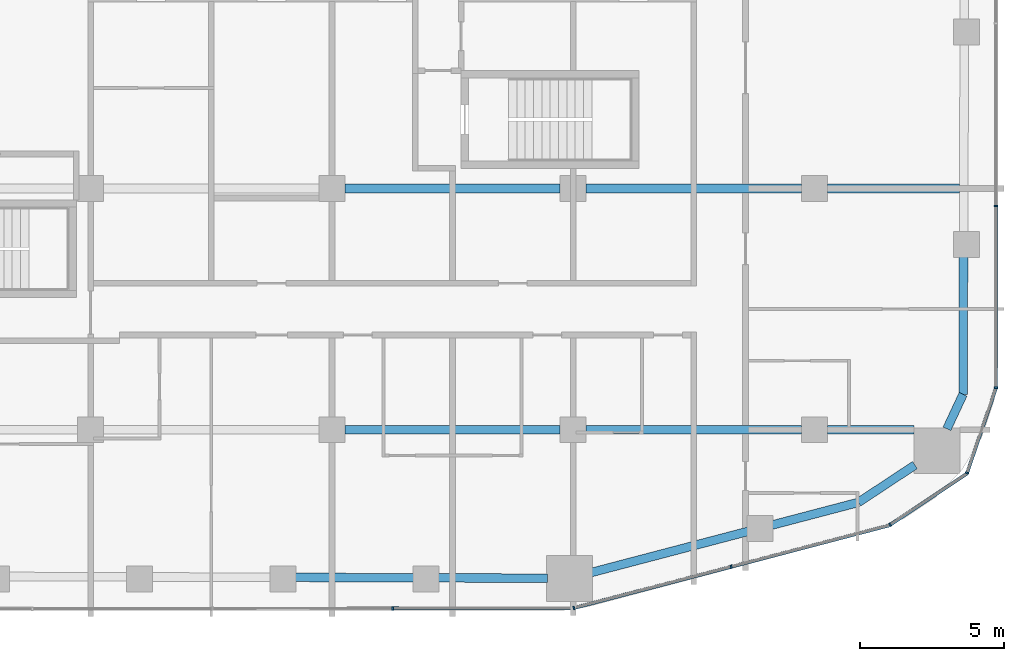
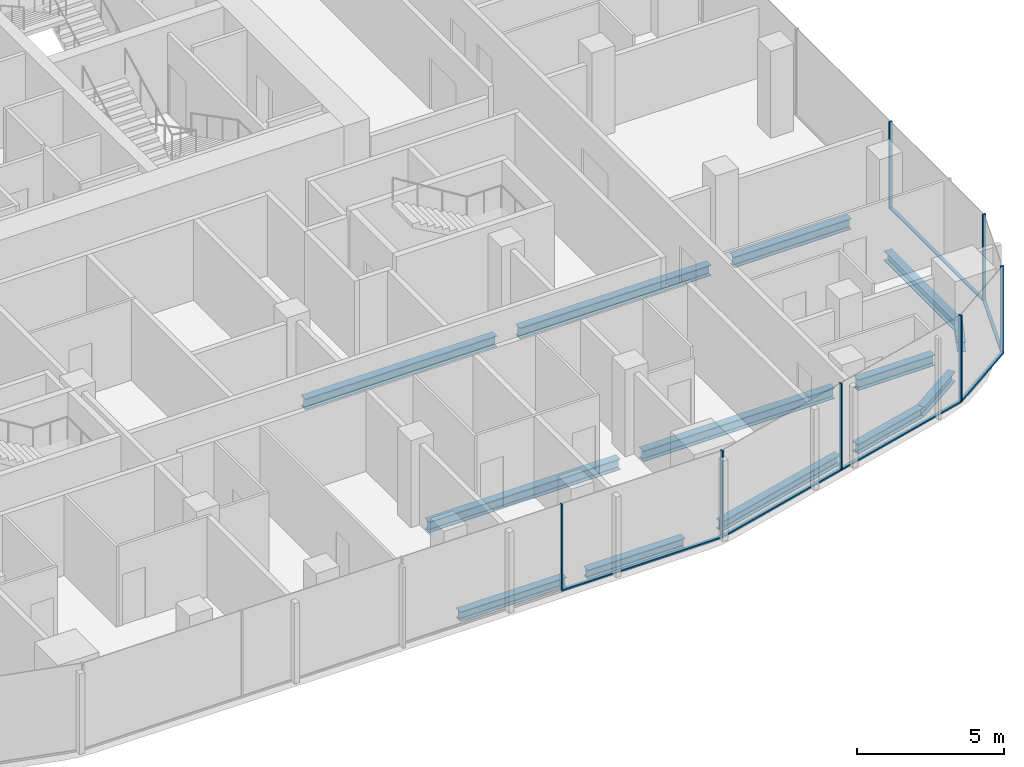
# One storey, part 6 of 23: 13 beams, 13 members, 5 elements without a shape of their own.
"""IFC4 building model written with IfcOpenShell, lengths in metres."""

from ifc_helpers import new_model, si_unit, direction, frame, origin, origin_2d, place, context, subcontext, project, spatial, rectangle, i_section, extrude, material, layer, layer_set, material_profile, profile_set, type_object, element, aggregate, save


model = new_model("IFC4")

# Units and contexts
model_context = context("Model", 3, precision=1e-05, world=origin(), true_north=direction((0.0, 1.0)))
body_context = subcontext(model_context, "Body", "Model", "MODEL_VIEW")
ifc_project = project(units=[si_unit("LENGTHUNIT", "METRE"), si_unit("AREAUNIT", "SQUARE_METRE"), si_unit("VOLUMEUNIT", "CUBIC_METRE"), si_unit("PLANEANGLEUNIT", "RADIAN"), si_unit("MASSUNIT", "GRAM", prefix="KILO")], contexts=[model_context])

# Site, building, storey
site_placement = place(None, origin())
site = spatial("IfcSite", under=ifc_project, at=site_placement, CompositionType="ELEMENT")
building_placement = place(site_placement, origin())
building = spatial("IfcBuilding", under=site, at=building_placement, Name="Marenta Gate Hotel Tower", CompositionType="ELEMENT")
storey_placement = place(building_placement, frame((0.0, 0.0, 155.300048828125)))
storey = spatial("IfcBuildingStorey", under=building, at=storey_placement, Name="L36", CompositionType="ELEMENT", Elevation=155.300048828125)

# Beams
ifc_material_1 = material(Name="Steel S355", Category="steel")
ifc_material_profile_1 = material_profile(ifc_material_1, i_section(OverallWidth=0.300048828125, OverallDepth=0.39990234375, WebThickness=0.013427734375, FlangeThickness=0.02392578125, FilletRadius=0.027099609375, at=origin_2d()), Name="HEB 400")
ifc_profile_set_1 = profile_set([ifc_material_profile_1], Name="Steel S355")
beam_type_1 = type_object("IfcBeamType", Name="Edge beam HEB 400", PredefinedType="SPANDREL", material=ifc_profile_set_1)
beam_1_placement = place(storey_placement, frame((26.191162109375, -10.761962890625, -0.4599609375), z_axis=(-0.003353298899, -0.999994377677, 0.0), x_axis=(0.999994377677, -0.003353298899, 0.0)))
element("IfcBeam", 1, at=beam_1_placement, inside=storey, type_object=beam_type_1, Name="L36-EB-27", PredefinedType="SPANDREL", context=body_context, shape_type="SweptSolid", body=[
    extrude(i_section(OverallWidth=0.300048828125, OverallDepth=0.39990234375, WebThickness=0.013427734375, FlangeThickness=0.02392578125, FilletRadius=0.027099609375, at=origin_2d()), origin(), (0.0, 0.0, 1.0), 4.80517578125),
])
beam_2_placement = place(storey_placement, frame((26.175048828125, -15.567138671875, -0.4599609375), z_axis=(-0.423207780269, -0.906032656541, 0.0), x_axis=(0.906032656541, -0.423207780269, 0.0)))
element("IfcBeam", 2, at=beam_2_placement, inside=storey, type_object=beam_type_1, Name="L36-EB-28", PredefinedType="SPANDREL", context=body_context, shape_type="SweptSolid", body=[
    extrude(i_section(OverallWidth=0.300048828125, OverallDepth=0.39990234375, WebThickness=0.013427734375, FlangeThickness=0.02392578125, FilletRadius=0.027099609375, at=origin_2d()), origin(), (0.0, 0.0, 1.0), 1.326904296875),
])
beam_3_placement = place(storey_placement, frame((24.496337890625, -18.0322265625, -0.4599609375), z_axis=(-0.834496060599, -0.551013906217, 0.0), x_axis=(0.551013906217, -0.834496060599, 0.0)))
element("IfcBeam", 3, at=beam_3_placement, inside=storey, type_object=beam_type_1, Name="L36-EB-29", PredefinedType="SPANDREL", context=body_context, shape_type="SweptSolid", body=[
    extrude(i_section(OverallWidth=0.300048828125, OverallDepth=0.39990234375, WebThickness=0.013427734375, FlangeThickness=0.02392578125, FilletRadius=0.027099609375, at=origin_2d()), origin(), (0.0, 0.0, 1.0), 2.357177734375),
])
beam_4_placement = place(storey_placement, frame((22.529296875, -19.3310546875, -0.4599609375), z_axis=(-0.967224706208, -0.25392197168, 0.0), x_axis=(0.25392197168, -0.967224706208, 0.0)))
element("IfcBeam", 4, at=beam_4_placement, inside=storey, type_object=beam_type_1, Name="L36-EB-30", PredefinedType="SPANDREL", context=body_context, shape_type="SweptSolid", body=[
    extrude(i_section(OverallWidth=0.300048828125, OverallDepth=0.39990234375, WebThickness=0.013427734375, FlangeThickness=0.02392578125, FilletRadius=0.027099609375, at=origin_2d()), origin(), (0.0, 0.0, 1.0), 3.11328125),
])
beam_5_placement = place(storey_placement, frame((18.695556640625, -20.33740234375, -0.4599609375), z_axis=(-0.96723321901, -0.253889542999, 0.0), x_axis=(0.253889542999, -0.96723321901, 0.0)))
element("IfcBeam", 5, at=beam_5_placement, inside=storey, type_object=beam_type_1, Name="L36-EB-31", PredefinedType="SPANDREL", context=body_context, shape_type="SweptSolid", body=[
    extrude(i_section(OverallWidth=0.300048828125, OverallDepth=0.39990234375, WebThickness=0.013427734375, FlangeThickness=0.02392578125, FilletRadius=0.027099609375, at=origin_2d()), origin(), (0.0, 0.0, 1.0), 5.6533203125),
])
beam_6_placement = place(storey_placement, frame((11.706298828125, -21.97021484375, -0.4599609375), z_axis=(-0.999994883969, 0.003198755307, 0.0), x_axis=(-0.003198755307, -0.999994883969, 0.0)))
element("IfcBeam", 6, at=beam_6_placement, inside=storey, type_object=beam_type_1, Name="L36-EB-32", PredefinedType="SPANDREL", context=body_context, shape_type="SweptSolid", body=[
    extrude(i_section(OverallWidth=0.300048828125, OverallDepth=0.39990234375, WebThickness=0.013427734375, FlangeThickness=0.02392578125, FilletRadius=0.027099609375, at=origin_2d()), origin(), (0.0, 0.0, 1.0), 3.816162109375),
])
beam_7_placement = place(storey_placement, frame((7.070068359375, -21.955322265625, -0.4599609375), z_axis=(-0.999994807487, 0.003222576575, 0.0), x_axis=(-0.003222576575, -0.999994807487, 0.0)))
element("IfcBeam", 7, at=beam_7_placement, inside=storey, type_object=beam_type_1, Name="L36-EB-33", PredefinedType="SPANDREL", context=body_context, shape_type="SweptSolid", body=[
    extrude(i_section(OverallWidth=0.300048828125, OverallDepth=0.39990234375, WebThickness=0.013427734375, FlangeThickness=0.02392578125, FilletRadius=0.027099609375, at=origin_2d()), origin(), (0.0, 0.0, 1.0), 4.166748046875),
])
ifc_material_2 = material(Name="Steel S355", Category="steel")
ifc_material_profile_2 = material_profile(ifc_material_2, i_section(OverallWidth=0.300048828125, OverallDepth=0.449951171875, WebThickness=0.013916015625, FlangeThickness=0.02587890625, FilletRadius=0.027099609375, at=origin_2d()), Name="HEB 450")
ifc_profile_set_2 = profile_set([ifc_material_profile_2], Name="Steel S355")
beam_type_2 = type_object("IfcBeamType", Name="Girder HEB 450", PredefinedType="BEAM", material=ifc_profile_set_2)
for number, where, z_axis, x_axis, name in (
    (8, (4.64990234375, -16.800048828125, -0.485107421875), (1.0, 0.0, 0.0), (0.0, 1.0, 0.0), "L36-GD-5"),
    (9, (13.050048828125, -16.800048828125, -0.485107421875), (1.0, 0.0, 0.0), (0.0, 1.0, 0.0), "L36-GD-6"),
):
    element("IfcBeam", number, at=place(storey_placement, frame(where, z_axis=z_axis, x_axis=x_axis)), inside=storey, type_object=beam_type_2, Name=name, PredefinedType="BEAM", context=body_context, shape_type="SweptSolid", body=[
        extrude(i_section(OverallWidth=0.300048828125, OverallDepth=0.449951171875, WebThickness=0.013916015625, FlangeThickness=0.02587890625, FilletRadius=0.027099609375, at=origin_2d()), origin(), (0.0, 0.0, 1.0), 7.5),
    ])
beam_8_placement = place(storey_placement, frame((21.449951171875, -16.800048828125, -0.485107421875), z_axis=(1.0, 0.0, 0.0), x_axis=(0.0, 1.0, 0.0)))
element("IfcBeam", 10, at=beam_8_placement, inside=storey, type_object=beam_type_2, Name="L36-GD-7", PredefinedType="BEAM", context=body_context, shape_type="SweptSolid", body=[
    extrude(i_section(OverallWidth=0.300048828125, OverallDepth=0.449951171875, WebThickness=0.013916015625, FlangeThickness=0.02587890625, FilletRadius=0.027099609375, at=origin_2d()), origin(), (0.0, 0.0, 1.0), 3.012939453125),
])
for number, where, z_axis, x_axis, name in (
    (11, (4.64990234375, -8.39990234375, -0.485107421875), (1.0, 0.0, 0.0), (0.0, 1.0, 0.0), "L36-GD-12"),
    (12, (13.050048828125, -8.39990234375, -0.485107421875), (1.0, 0.0, 0.0), (0.0, 1.0, 0.0), "L36-GD-13"),
):
    element("IfcBeam", number, at=place(storey_placement, frame(where, z_axis=z_axis, x_axis=x_axis)), inside=storey, type_object=beam_type_2, Name=name, PredefinedType="BEAM", context=body_context, shape_type="SweptSolid", body=[
        extrude(i_section(OverallWidth=0.300048828125, OverallDepth=0.449951171875, WebThickness=0.013916015625, FlangeThickness=0.02587890625, FilletRadius=0.027099609375, at=origin_2d()), origin(), (0.0, 0.0, 1.0), 7.5),
    ])
beam_9_placement = place(storey_placement, frame((21.449951171875, -8.39990234375, -0.485107421875), z_axis=(1.0, 0.0, 0.0), x_axis=(0.0, 1.0, 0.0)))
element("IfcBeam", 13, at=beam_9_placement, inside=storey, type_object=beam_type_2, Name="L36-GD-14", PredefinedType="BEAM", context=body_context, shape_type="SweptSolid", body=[
    extrude(i_section(OverallWidth=0.300048828125, OverallDepth=0.449951171875, WebThickness=0.013916015625, FlangeThickness=0.02587890625, FilletRadius=0.027099609375, at=origin_2d()), origin(), (0.0, 0.0, 1.0), 4.59912109375),
])

# Curtain wall, member
ifc_material_3 = material(Name="Tinted insulated glass in bronze anodised frame", Category="glass")
ifc_layer = layer(ifc_material_3, 0.1201171875)
ifc_layer_set = layer_set([ifc_layer], Name="Tinted insulated glass in bronze anodised frame")
curtain_wall_type = type_object("IfcCurtainWallType", Name="Tower unitised curtain wall CW1", PredefinedType="NOTDEFINED", material=ifc_layer_set)
curtain_wall_1_placement = place(storey_placement, origin())
curtain_wall_1 = element("IfcCurtainWall", 14, at=curtain_wall_1_placement, inside=storey, type_object=curtain_wall_type, Name="CW1 run G07", PredefinedType="NOTDEFINED")
ifc_material_4 = material(Name="Bronze anodised aluminium", Category="aluminium")
ifc_material_profile_3 = material_profile(ifc_material_4, rectangle(XDim=0.1201171875, YDim=0.06005859375, at=origin_2d()), Name="Mullion CW1 60x120 bronze anodised aluminium")
ifc_profile_set_3 = profile_set([ifc_material_profile_3], Name="Bronze anodised aluminium")
member_type_1 = type_object("IfcMemberType", Name="Mullion CW1 60x120 bronze anodised aluminium", PredefinedType="MULLION", material=ifc_profile_set_3)
member_1_placement = place(storey_placement, frame((6.32177734375, -23.021728515625, 0.0), z_axis=(0.0, 0.0, 1.0), x_axis=(-0.001362347707, 0.999999072004, 0.0)))
member_1 = element("IfcMember", 15, at=member_1_placement, type_object=member_type_1, Name="CW1 mullion 4", PredefinedType="MULLION", context=body_context, shape_type="SweptSolid", body=[
    extrude(rectangle(XDim=0.1201171875, YDim=0.06005859375, at=origin_2d()), origin(), (0.0, 0.0, 1.0), 3.599853515625),
])

# Curtain wall, members
curtain_wall_2_placement = place(storey_placement, origin())
curtain_wall_2 = element("IfcCurtainWall", 16, at=curtain_wall_2_placement, inside=storey, type_object=curtain_wall_type, Name="CW1 run G08", PredefinedType="NOTDEFINED")
member_2_placement = place(storey_placement, frame((12.626708984375, -23.005615234375, 0.0), z_axis=(0.0, 0.0, 1.0), x_axis=(-0.253374270473, 0.967368326473, 0.0)))
member_2 = element("IfcMember", 17, at=member_2_placement, type_object=member_type_1, Name="CW1 mullion 1", PredefinedType="MULLION", context=body_context, shape_type="SweptSolid", body=[
    extrude(rectangle(XDim=0.1201171875, YDim=0.06005859375, at=origin_2d()), origin(), (0.0, 0.0, 1.0), 3.599853515625),
])
member_3_placement = place(storey_placement, frame((18.102783203125, -21.571533203125, 0.0), z_axis=(0.0, 0.0, 1.0), x_axis=(-0.253374270473, 0.967368326473, 0.0)))
member_3 = element("IfcMember", 18, at=member_3_placement, type_object=member_type_1, Name="CW1 mullion 2", PredefinedType="MULLION", context=body_context, shape_type="SweptSolid", body=[
    extrude(rectangle(XDim=0.1201171875, YDim=0.06005859375, at=origin_2d()), origin(), (0.0, 0.0, 1.0), 3.599853515625),
])

# Curtain wall, member
curtain_wall_3_placement = place(storey_placement, origin())
curtain_wall_3 = element("IfcCurtainWall", 19, at=curtain_wall_3_placement, inside=storey, type_object=curtain_wall_type, Name="CW1 run G09", PredefinedType="NOTDEFINED")
member_4_placement = place(storey_placement, frame((23.632568359375, -20.113037109375, 0.0), z_axis=(0.0, 0.0, 1.0), x_axis=(-0.554016243423, 0.832505857051, 0.0)))
member_4 = element("IfcMember", 20, at=member_4_placement, type_object=member_type_1, Name="CW1 mullion 1", PredefinedType="MULLION", context=body_context, shape_type="SweptSolid", body=[
    extrude(rectangle(XDim=0.1201171875, YDim=0.06005859375, at=origin_2d()), origin(), (0.0, 0.0, 1.0), 3.599853515625),
])

curtain_wall_4_placement = place(storey_placement, origin())
curtain_wall_4 = element("IfcCurtainWall", 21, at=curtain_wall_4_placement, inside=storey, type_object=curtain_wall_type, Name="CW1 run G10", PredefinedType="NOTDEFINED")
member_5_placement = place(storey_placement, frame((26.314453125, -18.30615234375, 0.0), z_axis=(0.0, 0.0, 1.0), x_axis=(-0.946728385013, 0.322033173773, 0.0)))
member_5 = element("IfcMember", 22, at=member_5_placement, type_object=member_type_1, Name="CW1 mullion 1", PredefinedType="MULLION", context=body_context, shape_type="SweptSolid", body=[
    extrude(rectangle(XDim=0.1201171875, YDim=0.06005859375, at=origin_2d()), origin(), (0.0, 0.0, 1.0), 3.599853515625),
])

# Curtain wall, members
curtain_wall_5_placement = place(storey_placement, origin())
curtain_wall_5 = element("IfcCurtainWall", 23, at=curtain_wall_5_placement, inside=storey, type_object=curtain_wall_type, Name="CW1 run G11", PredefinedType="NOTDEFINED")
member_6_placement = place(storey_placement, frame((27.31396484375, -15.337890625, 0.0), z_axis=(0.0, 0.0, 1.0), x_axis=(-1.0, 0.0, 0.0)))
member_6 = element("IfcMember", 24, at=member_6_placement, type_object=member_type_1, Name="CW1 mullion 1", PredefinedType="MULLION", context=body_context, shape_type="SweptSolid", body=[
    extrude(rectangle(XDim=0.1201171875, YDim=0.06005859375, at=origin_2d()), origin(), (0.0, 0.0, 1.0), 3.599853515625),
])
member_7_placement = place(storey_placement, frame((27.31396484375, -9.008056640625, 0.0), z_axis=(0.0, 0.0, 1.0), x_axis=(-1.0, 0.0, 0.0)))
member_7 = element("IfcMember", 25, at=member_7_placement, type_object=member_type_1, Name="CW1 mullion 2", PredefinedType="MULLION", context=body_context, shape_type="SweptSolid", body=[
    extrude(rectangle(XDim=0.1201171875, YDim=0.06005859375, at=origin_2d()), origin(), (0.0, 0.0, 1.0), 3.599853515625),
])

# Member
ifc_material_5 = material(Name="Bronze anodised aluminium", Category="aluminium")
ifc_material_profile_4 = material_profile(ifc_material_5, rectangle(XDim=0.1201171875, YDim=0.06005859375, at=origin_2d()), Name="Transom CW1 60x120 bronze anodised aluminium")
ifc_profile_set_4 = profile_set([ifc_material_profile_4], Name="Bronze anodised aluminium")
member_type_2 = type_object("IfcMemberType", Name="Transom CW1 60x120 bronze anodised aluminium", PredefinedType="USERDEFINED", material=ifc_profile_set_4)
member_8_placement = place(storey_placement, frame((6.351806640625, -23.021728515625, 0.030029296875), z_axis=(0.999999064231, 0.001368041246, 0.0), x_axis=(-0.001368041246, 0.999999064231, 0.0)))
member_8 = element("IfcMember", 26, at=member_8_placement, type_object=member_type_2, Name="CW1 transom 4.1", ObjectType="TRANSOM", PredefinedType="USERDEFINED", context=body_context, shape_type="SweptSolid", body=[
    extrude(rectangle(XDim=0.1201171875, YDim=0.06005859375, at=origin_2d()), origin(), (0.0, 0.0, 1.0), 6.24609375),
])

aggregate(curtain_wall_1, [member_1, member_8])

member_9_placement = place(storey_placement, frame((12.65576171875, -22.998046875, 0.030029296875), z_axis=(0.967374258372, 0.25335162174, 0.0), x_axis=(-0.25335162174, 0.967374258372, 0.0)))
member_9 = element("IfcMember", 27, at=member_9_placement, type_object=member_type_2, Name="CW1 transom 1.1", ObjectType="TRANSOM", PredefinedType="USERDEFINED", context=body_context, shape_type="SweptSolid", body=[
    extrude(rectangle(XDim=0.1201171875, YDim=0.06005859375, at=origin_2d()), origin(), (0.0, 0.0, 1.0), 5.6005859375),
])

member_10_placement = place(storey_placement, frame((18.1318359375, -21.56396484375, 0.030029296875), z_axis=(0.967364420611, 0.253389182357, 0.0), x_axis=(-0.253389182357, 0.967364420611, 0.0)))
member_10 = element("IfcMember", 28, at=member_10_placement, type_object=member_type_2, Name="CW1 transom 2.1", ObjectType="TRANSOM", PredefinedType="USERDEFINED", context=body_context, shape_type="SweptSolid", body=[
    extrude(rectangle(XDim=0.1201171875, YDim=0.06005859375, at=origin_2d()), origin(), (0.0, 0.0, 1.0), 5.66064453125),
])

aggregate(curtain_wall_2, [member_2, member_3, member_9, member_10])

member_11_placement = place(storey_placement, frame((23.657470703125, -20.096435546875, 0.030029296875), z_axis=(0.832522439521, 0.553991324565, 0.0), x_axis=(-0.553991324565, 0.832522439521, 0.0)))
member_11 = element("IfcMember", 29, at=member_11_placement, type_object=member_type_2, Name="CW1 transom 1.1", ObjectType="TRANSOM", PredefinedType="USERDEFINED", context=body_context, shape_type="SweptSolid", body=[
    extrude(rectangle(XDim=0.1201171875, YDim=0.06005859375, at=origin_2d()), origin(), (0.0, 0.0, 1.0), 3.179931640625),
])

aggregate(curtain_wall_3, [member_4, member_11])

member_12_placement = place(storey_placement, frame((26.32421875, -18.27783203125, 0.030029296875), z_axis=(0.322012379162, 0.946735458123, 0.0), x_axis=(-0.946735458123, 0.322012379162, 0.0)))
member_12 = element("IfcMember", 30, at=member_12_placement, type_object=member_type_2, Name="CW1 transom 1.1", ObjectType="TRANSOM", PredefinedType="USERDEFINED", context=body_context, shape_type="SweptSolid", body=[
    extrude(rectangle(XDim=0.1201171875, YDim=0.06005859375, at=origin_2d()), origin(), (0.0, 0.0, 1.0), 3.07373046875),
])

aggregate(curtain_wall_4, [member_5, member_12])

member_13_placement = place(storey_placement, frame((27.31396484375, -15.30810546875, 0.030029296875), z_axis=(0.0, 1.0, 0.0), x_axis=(-1.0, 0.0, 0.0)))
member_13 = element("IfcMember", 31, at=member_13_placement, type_object=member_type_2, Name="CW1 transom 1.1", ObjectType="TRANSOM", PredefinedType="USERDEFINED", context=body_context, shape_type="SweptSolid", body=[
    extrude(rectangle(XDim=0.1201171875, YDim=0.06005859375, at=origin_2d()), origin(), (0.0, 0.0, 1.0), 6.27001953125),
])

aggregate(curtain_wall_5, [member_6, member_7, member_13])

save(model, "model.ifc")
